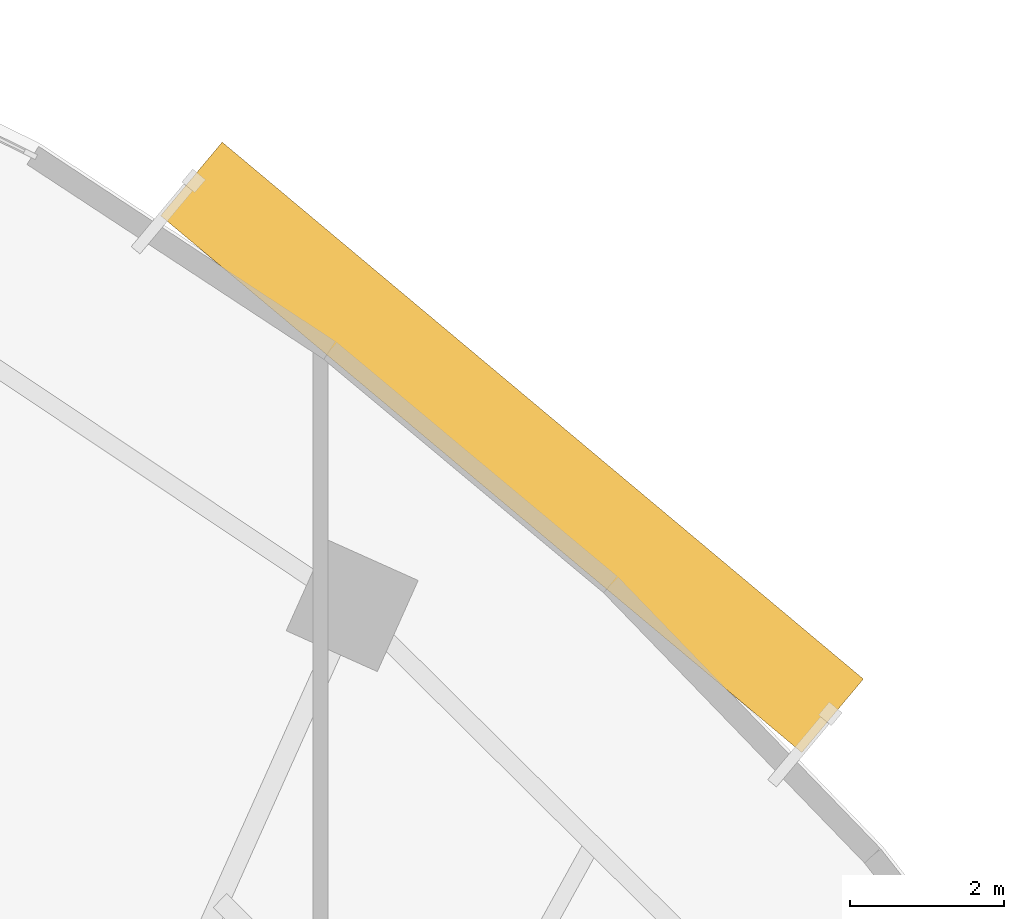
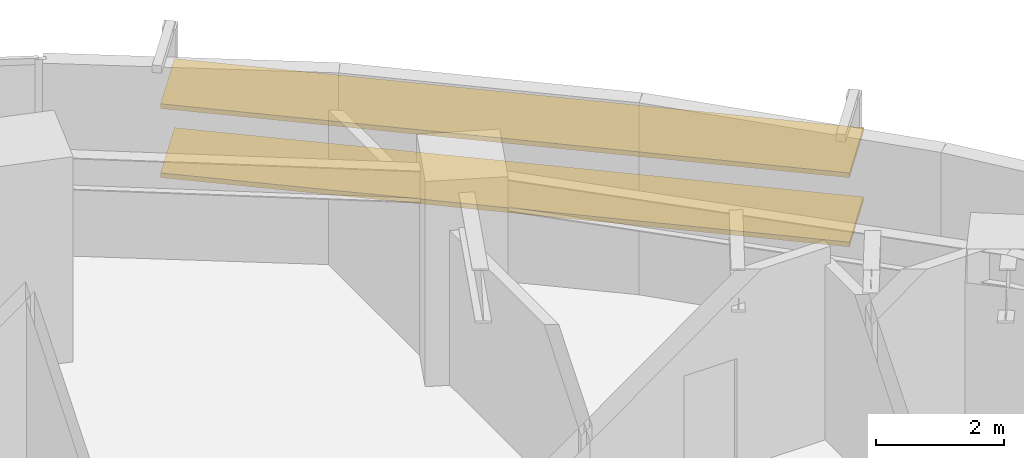
# One storey, part 14 of 14: 2 shading devices.
"""IFC4 building model written with IfcOpenShell, lengths in metres."""

from ifc_helpers import new_model, si_unit, direction, frame, origin, origin_2d, place, context, subcontext, project, spatial, rectangle, extrude, source, transform, mapped, material, material_profile, profile_set, type_object, element, save


model = new_model("IFC4")

# Units and contexts
model_context = context("Model", 3, precision=1e-05, world=origin(), true_north=direction((0.0, 1.0)))
body_context = subcontext(model_context, "Body", "Model", "MODEL_VIEW")
ifc_project = project(units=[si_unit("LENGTHUNIT", "METRE"), si_unit("AREAUNIT", "SQUARE_METRE"), si_unit("VOLUMEUNIT", "CUBIC_METRE"), si_unit("PLANEANGLEUNIT", "RADIAN"), si_unit("MASSUNIT", "GRAM", prefix="KILO")], contexts=[model_context])

# Site, building, storey
site_placement = place(None, origin())
site = spatial("IfcSite", under=ifc_project, at=site_placement, CompositionType="ELEMENT")
building_placement = place(site_placement, origin())
building = spatial("IfcBuilding", under=site, at=building_placement, Name="Breltana Convention Tower", CompositionType="ELEMENT")
storey_placement = place(building_placement, frame((0.0, 0.0, 115.5)))
storey = spatial("IfcBuildingStorey", under=building, at=storey_placement, Name="L27", CompositionType="ELEMENT", Elevation=115.5)

# Shading devices
ifc_material = material(Name="Limestone Warm Buff Honed", Category="masonry")
ifc_material_profile = material_profile(ifc_material, rectangle(XDim=1.25, YDim=0.090087890625, at=origin_2d()), Name="STN-LVR-1250X90")
ifc_profile_set = profile_set([ifc_material_profile], Name="Limestone Warm Buff Honed")
shading_device_type = type_object("IfcShadingDeviceType", Name="SHD-OUTER-SKIN-LIMESTONE-1250", PredefinedType="JALOUSIE", material=ifc_profile_set)
shared_shape = source(origin(), body_context, "Body", "SweptSolid", [
    extrude(rectangle(XDim=1.25, YDim=0.090087890625, at=origin_2d()), origin(), (0.0, 0.0, 1.0), 10.892333984375),
])
for number, where, z_axis, x_axis, name in (
    (1, (66.81591796875, 74.190673828125, 1.31396484375), (0.766718160057, -0.641983849515, 0.0), (0.641983849515, 0.766718160057, 0.0), "L27 outer skin warm limestone louvre 2.1"),
    (2, (66.81591796875, 74.190673828125, 2.6279296875), (0.766718160057, -0.641983849515, 0.0), (0.641983849515, 0.766718160057, 0.0), "L27 outer skin warm limestone louvre 2.2"),
):
    element("IfcShadingDevice", number, at=place(storey_placement, frame(where, z_axis=z_axis, x_axis=x_axis)), inside=storey, type_object=shading_device_type, Name=name, PredefinedType="JALOUSIE", context=body_context, shape_type="MappedRepresentation", body=[
        mapped(shared_shape, transform((0.0, 0.0, 0.0), scale=1.0)),
    ])

save(model, "model.ifc")
